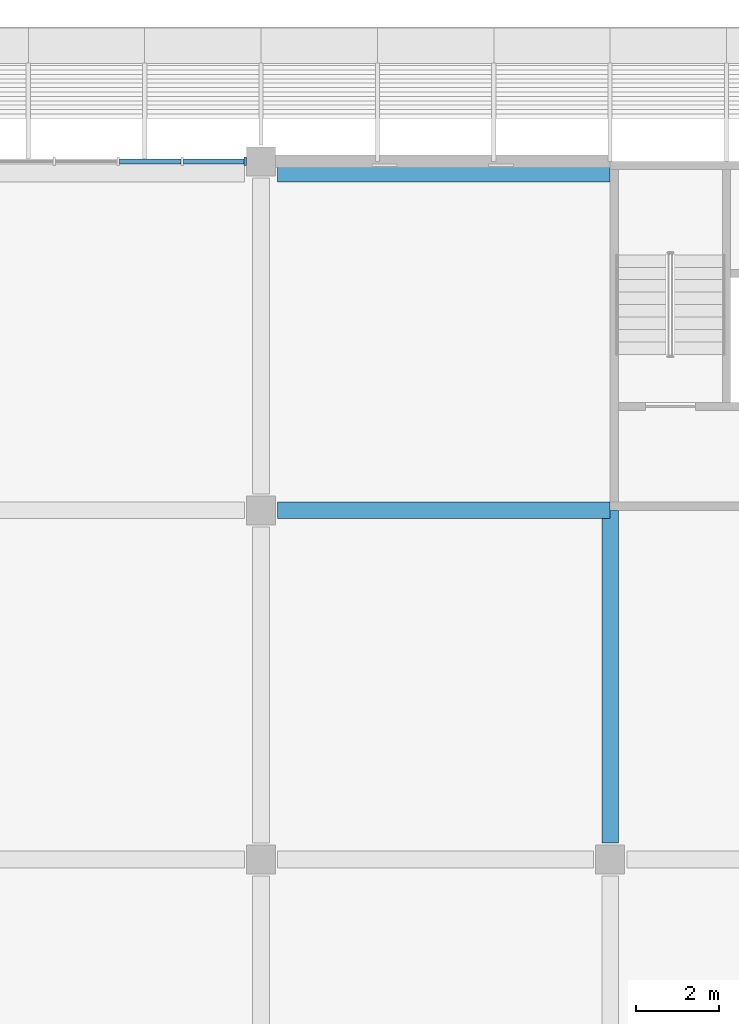
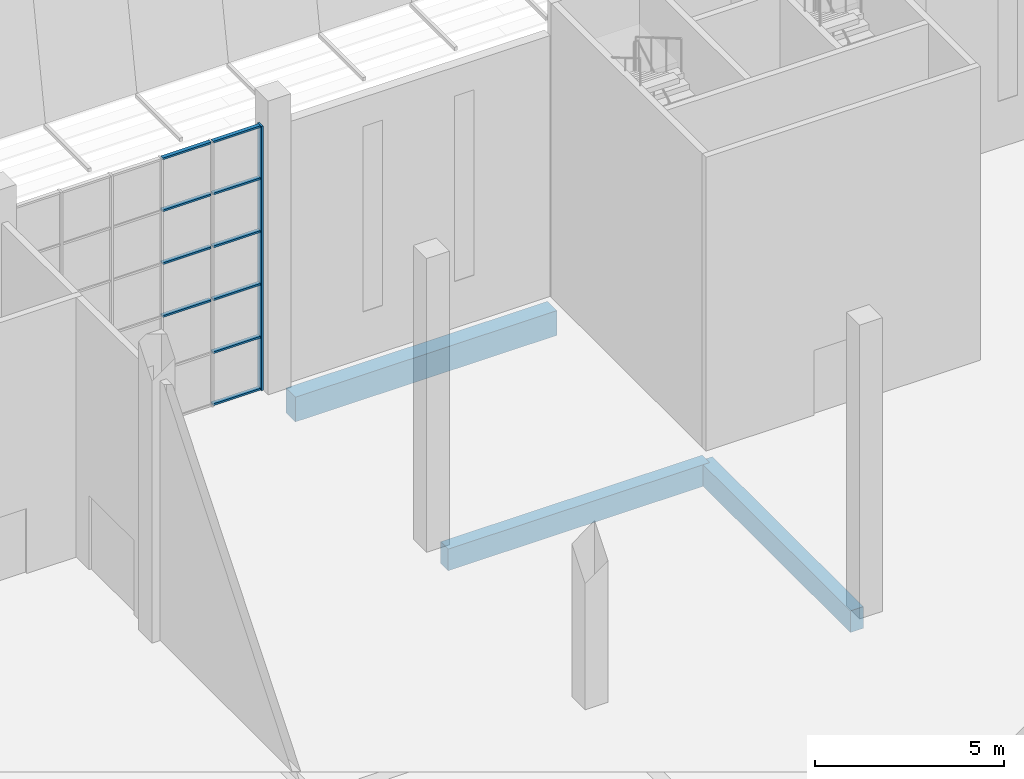
# One storey, part 27 of 114: 11 members, 3 beams, 1 element without a shape of its own.
"""IFC4 building model written with IfcOpenShell, lengths in metres."""

from ifc_helpers import new_model, si_unit, direction, frame, origin, origin_2d, place, context, subcontext, project, spatial, rectangle, extrude, material, material_profile, profile_set, type_object, element, aggregate, save


model = new_model("IFC4")

# Units and contexts
model_context = context("Model", 3, precision=1e-05, world=origin(), true_north=direction((0.0, 1.0)))
body_context = subcontext(model_context, "Body", "Model", "MODEL_VIEW")
ifc_project = project(units=[si_unit("LENGTHUNIT", "METRE"), si_unit("AREAUNIT", "SQUARE_METRE"), si_unit("VOLUMEUNIT", "CUBIC_METRE"), si_unit("PLANEANGLEUNIT", "RADIAN"), si_unit("MASSUNIT", "GRAM", prefix="KILO")], contexts=[model_context])

# Site, building, storey
site_placement = place(None, origin())
site = spatial("IfcSite", under=ifc_project, at=site_placement, CompositionType="ELEMENT")
building_placement = place(site_placement, origin())
building = spatial("IfcBuilding", under=site, at=building_placement, Name="Almond Square Museum", CompositionType="ELEMENT")
storey_placement = place(building_placement, frame((0.0, 0.0, 10.5)))
storey = spatial("IfcBuildingStorey", under=building, at=storey_placement, Name="L02", CompositionType="ELEMENT", Elevation=10.5)

# Curtain wall, members
ifc_material_1 = material(Name="Aluminium and laminated glass", Category="aluminium")
curtain_wall_type = type_object("IfcCurtainWallType", Name="Unitised curtain wall 1500 module", PredefinedType="NOTDEFINED", material=ifc_material_1)
curtain_wall_placement = place(storey_placement, origin())
curtain_wall = element("IfcCurtainWall", 1, at=curtain_wall_placement, inside=storey, type_object=curtain_wall_type, Name="Curtain wall CW-16", PredefinedType="NOTDEFINED")
ifc_material_2 = material(Name="Anodised aluminium", Category="aluminium")
ifc_material_profile_1 = material_profile(ifc_material_2, rectangle(XDim=0.199951171875, YDim=0.06005859375, at=origin_2d()))
ifc_profile_set_1 = profile_set([ifc_material_profile_1], Name="Anodised aluminium")
member_type_1 = type_object("IfcMemberType", Name="Aluminium mullion 60 x 200", PredefinedType="MULLION", material=ifc_profile_set_1)
member_1_placement = place(storey_placement, frame((114.820068359375, 109.199951171875, 0.0), z_axis=(0.0, 0.0, 1.0), x_axis=(0.0, 1.0, 0.0)))
member_1 = element("IfcMember", 2, at=member_1_placement, type_object=member_type_1, Name="CW-16 mullion 6", PredefinedType="MULLION", context=body_context, shape_type="SweptSolid", body=[
    extrude(rectangle(XDim=0.199951171875, YDim=0.06005859375, at=origin_2d()), origin(), (0.0, 0.0, 1.0), 8.550048828125),
])
ifc_material_3 = material(Name="Anodised aluminium", Category="aluminium")
ifc_material_profile_2 = material_profile(ifc_material_3, rectangle(XDim=0.1201171875, YDim=0.06005859375, at=origin_2d()))
ifc_profile_set_2 = profile_set([ifc_material_profile_2], Name="Anodised aluminium")
member_type_2 = type_object("IfcMemberType", Name="Aluminium transom 60 x 120", PredefinedType="USERDEFINED", material=ifc_profile_set_2)
member_2_placement = place(storey_placement, frame((111.800048828125, 109.199951171875, 3.419921875), z_axis=(1.0, 0.0, 0.0), x_axis=(0.0, 1.0, 0.0)))
member_2 = element("IfcMember", 3, at=member_2_placement, type_object=member_type_2, Name="CW-16 transom 4.3", ObjectType="TRANSOM", PredefinedType="USERDEFINED", context=body_context, shape_type="SweptSolid", body=[
    extrude(rectangle(XDim=0.1201171875, YDim=0.06005859375, at=origin_2d()), origin(), (0.0, 0.0, 1.0), 1.47998046875),
])
member_3_placement = place(storey_placement, frame((111.800048828125, 109.199951171875, 5.1298828125), z_axis=(1.0, 0.0, 0.0), x_axis=(0.0, 1.0, 0.0)))
member_3 = element("IfcMember", 4, at=member_3_placement, type_object=member_type_2, Name="CW-16 transom 4.4", ObjectType="TRANSOM", PredefinedType="USERDEFINED", context=body_context, shape_type="SweptSolid", body=[
    extrude(rectangle(XDim=0.1201171875, YDim=0.06005859375, at=origin_2d()), origin(), (0.0, 0.0, 1.0), 1.47998046875),
])
member_4_placement = place(storey_placement, frame((111.800048828125, 109.199951171875, 6.840087890625), z_axis=(1.0, 0.0, 0.0), x_axis=(0.0, 1.0, 0.0)))
member_4 = element("IfcMember", 5, at=member_4_placement, type_object=member_type_2, Name="CW-16 transom 4.5", ObjectType="TRANSOM", PredefinedType="USERDEFINED", context=body_context, shape_type="SweptSolid", body=[
    extrude(rectangle(XDim=0.1201171875, YDim=0.06005859375, at=origin_2d()), origin(), (0.0, 0.0, 1.0), 1.47998046875),
])
member_5_placement = place(storey_placement, frame((111.800048828125, 109.199951171875, 8.52001953125), z_axis=(1.0, 0.0, 0.0), x_axis=(0.0, 1.0, 0.0)))
member_5 = element("IfcMember", 6, at=member_5_placement, type_object=member_type_2, Name="CW-16 transom 4.6", ObjectType="TRANSOM", PredefinedType="USERDEFINED", context=body_context, shape_type="SweptSolid", body=[
    extrude(rectangle(XDim=0.1201171875, YDim=0.06005859375, at=origin_2d()), origin(), (0.0, 0.0, 1.0), 1.47998046875),
])
member_6_placement = place(storey_placement, frame((113.340087890625, 109.199951171875, 0.030029296875), z_axis=(1.0, 0.0, 0.0), x_axis=(0.0, 1.0, 0.0)))
member_6 = element("IfcMember", 7, at=member_6_placement, type_object=member_type_2, Name="CW-16 transom 5.1", ObjectType="TRANSOM", PredefinedType="USERDEFINED", context=body_context, shape_type="SweptSolid", body=[
    extrude(rectangle(XDim=0.1201171875, YDim=0.06005859375, at=origin_2d()), origin(), (0.0, 0.0, 1.0), 1.449951171875),
])
member_7_placement = place(storey_placement, frame((113.340087890625, 109.199951171875, 1.7099609375), z_axis=(1.0, 0.0, 0.0), x_axis=(0.0, 1.0, 0.0)))
member_7 = element("IfcMember", 8, at=member_7_placement, type_object=member_type_2, Name="CW-16 transom 5.2", ObjectType="TRANSOM", PredefinedType="USERDEFINED", context=body_context, shape_type="SweptSolid", body=[
    extrude(rectangle(XDim=0.1201171875, YDim=0.06005859375, at=origin_2d()), origin(), (0.0, 0.0, 1.0), 1.449951171875),
])
member_8_placement = place(storey_placement, frame((113.340087890625, 109.199951171875, 3.419921875), z_axis=(1.0, 0.0, 0.0), x_axis=(0.0, 1.0, 0.0)))
member_8 = element("IfcMember", 9, at=member_8_placement, type_object=member_type_2, Name="CW-16 transom 5.3", ObjectType="TRANSOM", PredefinedType="USERDEFINED", context=body_context, shape_type="SweptSolid", body=[
    extrude(rectangle(XDim=0.1201171875, YDim=0.06005859375, at=origin_2d()), origin(), (0.0, 0.0, 1.0), 1.449951171875),
])
member_9_placement = place(storey_placement, frame((113.340087890625, 109.199951171875, 5.1298828125), z_axis=(1.0, 0.0, 0.0), x_axis=(0.0, 1.0, 0.0)))
member_9 = element("IfcMember", 10, at=member_9_placement, type_object=member_type_2, Name="CW-16 transom 5.4", ObjectType="TRANSOM", PredefinedType="USERDEFINED", context=body_context, shape_type="SweptSolid", body=[
    extrude(rectangle(XDim=0.1201171875, YDim=0.06005859375, at=origin_2d()), origin(), (0.0, 0.0, 1.0), 1.449951171875),
])
member_10_placement = place(storey_placement, frame((113.340087890625, 109.199951171875, 6.840087890625), z_axis=(1.0, 0.0, 0.0), x_axis=(0.0, 1.0, 0.0)))
member_10 = element("IfcMember", 11, at=member_10_placement, type_object=member_type_2, Name="CW-16 transom 5.5", ObjectType="TRANSOM", PredefinedType="USERDEFINED", context=body_context, shape_type="SweptSolid", body=[
    extrude(rectangle(XDim=0.1201171875, YDim=0.06005859375, at=origin_2d()), origin(), (0.0, 0.0, 1.0), 1.449951171875),
])
member_11_placement = place(storey_placement, frame((113.340087890625, 109.199951171875, 8.52001953125), z_axis=(1.0, 0.0, 0.0), x_axis=(0.0, 1.0, 0.0)))
member_11 = element("IfcMember", 12, at=member_11_placement, type_object=member_type_2, Name="CW-16 transom 5.6", ObjectType="TRANSOM", PredefinedType="USERDEFINED", context=body_context, shape_type="SweptSolid", body=[
    extrude(rectangle(XDim=0.1201171875, YDim=0.06005859375, at=origin_2d()), origin(), (0.0, 0.0, 1.0), 1.449951171875),
])
aggregate(curtain_wall, [member_1, member_2, member_3, member_4, member_5, member_6, member_7, member_8, member_9, member_10, member_11])

# Beams
ifc_material_4 = material(Name="Concrete C40/50", Category="concrete")
ifc_material_profile_3 = material_profile(ifc_material_4, rectangle(XDim=0.39990234375, YDim=0.699951171875, at=origin_2d()))
ifc_profile_set_3 = profile_set([ifc_material_profile_3], Name="Concrete C40/50")
beam_type_1 = type_object("IfcBeamType", Name="RC beam 400 x 700 C40/50", PredefinedType="BEAM", material=ifc_profile_set_3)
for number, where, z_axis, x_axis, name in (
    (13, (115.60009765625, 100.800048828125, -0.60009765625), (1.0, 0.0, 0.0), (0.0, 1.0, 0.0), "Beam M 15-16 L02"),
    (14, (123.60009765625, 92.800048828125, -0.60009765625), (0.0, 1.0, 0.0), (-1.0, 0.0, 0.0), "Beam 16 L-M L02"),
):
    element("IfcBeam", number, at=place(storey_placement, frame(where, z_axis=z_axis, x_axis=x_axis)), inside=storey, type_object=beam_type_1, Name=name, PredefinedType="BEAM", context=body_context, shape_type="SweptSolid", body=[
        extrude(rectangle(XDim=0.39990234375, YDim=0.699951171875, at=origin_2d()), origin(), (0.0, 0.0, 1.0), 8.0),
    ])
ifc_material_5 = material(Name="Concrete C40/50", Category="concrete")
ifc_material_profile_4 = material_profile(ifc_material_5, rectangle(XDim=0.5, YDim=0.800048828125, at=origin_2d()))
ifc_profile_set_4 = profile_set([ifc_material_profile_4], Name="Concrete C40/50")
beam_type_2 = type_object("IfcBeamType", Name="RC edge beam 500 x 800 C40/50", PredefinedType="BEAM", material=ifc_profile_set_4)
beam_placement = place(storey_placement, frame((115.60009765625, 108.949951171875, -0.64990234375), z_axis=(1.0, 0.0, 0.0), x_axis=(0.0, 1.0, 0.0)))
element("IfcBeam", 15, at=beam_placement, inside=storey, type_object=beam_type_2, Name="Edge beam N 15-16 L02", PredefinedType="BEAM", context=body_context, shape_type="SweptSolid", body=[
    extrude(rectangle(XDim=0.5, YDim=0.800048828125, at=origin_2d()), origin(), (0.0, 0.0, 1.0), 8.0),
])

save(model, "model.ifc")
